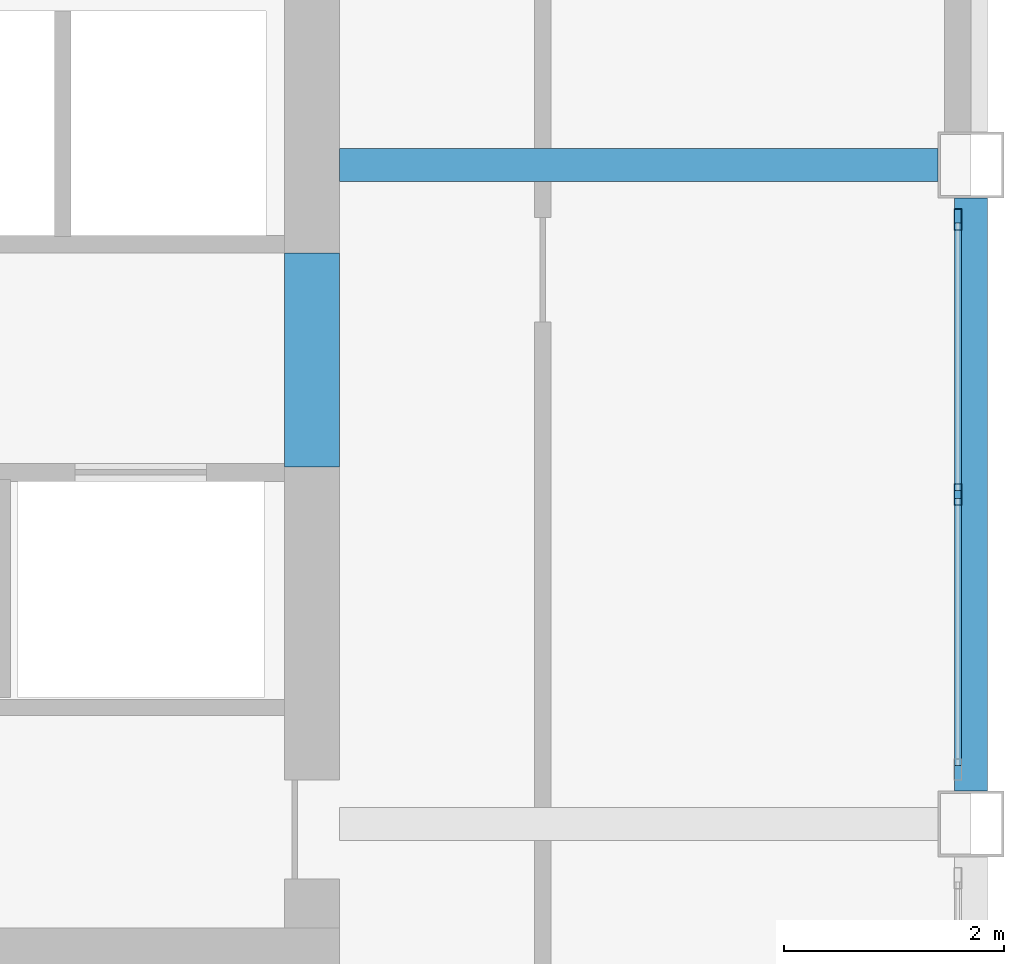
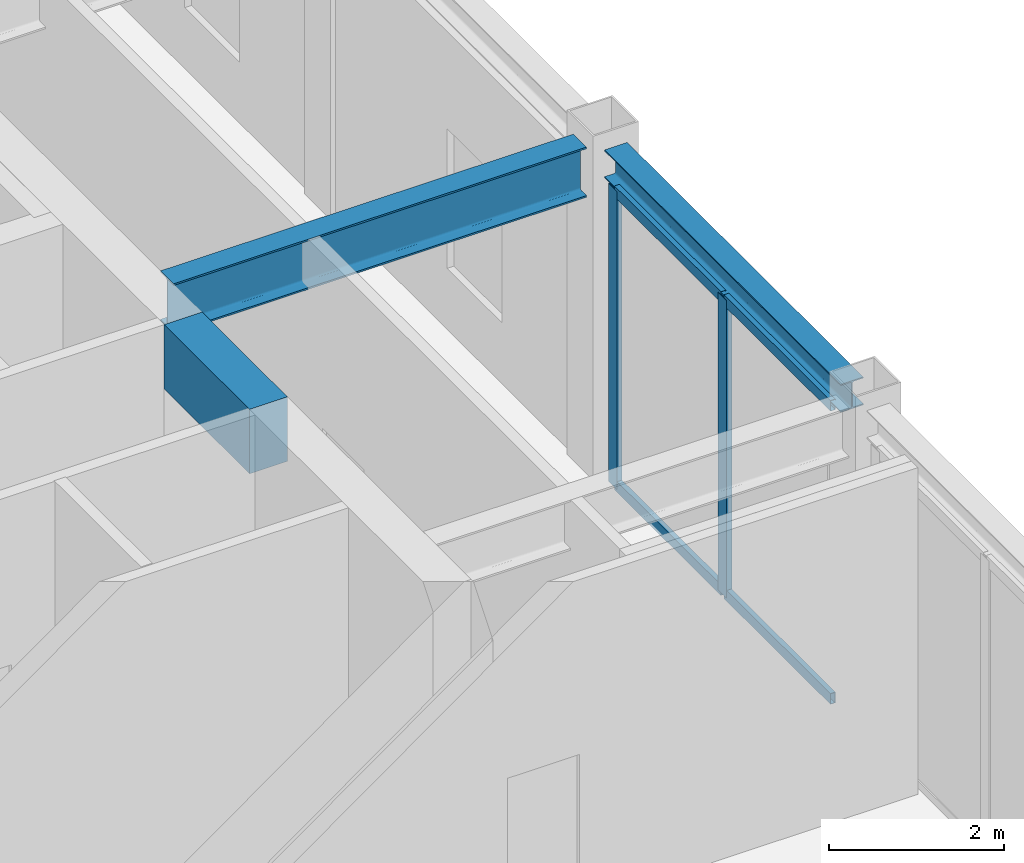
# One storey, part 5 of 11: 6 members, 3 beams, 1 element without a shape of its own.
"""IFC4 building model written with IfcOpenShell, lengths in metres."""

from ifc_helpers import new_model, si_unit, direction, frame, origin, origin_2d, place, context, subcontext, project, spatial, rectangle, hollow_rectangle, i_section, extrude, material, layer, layer_set, material_profile, profile_set, type_object, element, aggregate, save


model = new_model("IFC4")

# Units and contexts
model_context = context("Model", 3, precision=1e-05, world=origin(), true_north=direction((0.0, 1.0)))
body_context = subcontext(model_context, "Body", "Model", "MODEL_VIEW")
ifc_project = project(units=[si_unit("LENGTHUNIT", "METRE"), si_unit("AREAUNIT", "SQUARE_METRE"), si_unit("VOLUMEUNIT", "CUBIC_METRE"), si_unit("PLANEANGLEUNIT", "RADIAN"), si_unit("MASSUNIT", "GRAM", prefix="KILO")], contexts=[model_context])

# Site, building, storey
site_placement = place(None, origin())
site = spatial("IfcSite", under=ifc_project, at=site_placement, CompositionType="ELEMENT")
building_placement = place(site_placement, origin())
building = spatial("IfcBuilding", under=site, at=building_placement, Name="Haolan Belvedere Tower", CompositionType="ELEMENT")
storey_placement = place(building_placement, frame((0.0, 0.0, 313.39990234375)))
storey = spatial("IfcBuildingStorey", under=building, at=storey_placement, Name="L79", CompositionType="ELEMENT", Elevation=313.39990234375)

# Beams
ifc_material_1 = material(Name="Steel Q355B", Category="steel")
ifc_material_profile_1 = material_profile(ifc_material_1, i_section(OverallWidth=0.300048828125, OverallDepth=0.389892578125, WebThickness=0.010009765625, FlangeThickness=0.01611328125, FilletRadius=0.02197265625, at=origin_2d()), Name="Steel Q355B")
ifc_profile_set_1 = profile_set([ifc_material_profile_1], Name="Steel Q355B")
beam_type_1 = type_object("IfcBeamType", Name="BM-HM390x300x10x16", PredefinedType="SPANDREL", material=ifc_profile_set_1)
beam_1_placement = place(storey_placement, frame((52.800048828125, 27.89990234375, 4.364990234375), z_axis=(0.0, 1.0, 0.0), x_axis=(-1.0, 0.0, 0.0)))
element("IfcBeam", 1, at=beam_1_placement, inside=storey, type_object=beam_type_1, Name="L79 spandrel girder TC-T3-E1-MC-T3-ME", PredefinedType="SPANDREL", context=body_context, shape_type="SweptSolid", body=[
    extrude(i_section(OverallWidth=0.300048828125, OverallDepth=0.389892578125, WebThickness=0.010009765625, FlangeThickness=0.01611328125, FilletRadius=0.02197265625, at=origin_2d()), origin(), (0.0, 0.0, 1.0), 5.400146484375),
])
ifc_material_profile_2 = material_profile(ifc_material_1, i_section(OverallWidth=0.300048828125, OverallDepth=0.699951171875, WebThickness=0.012939453125, FlangeThickness=0.02392578125, FilletRadius=0.02587890625, at=origin_2d()), Name="Steel Q355B")
ifc_profile_set_2 = profile_set([ifc_material_profile_2], Name="Steel Q355B")
beam_type_2 = type_object("IfcBeamType", Name="BM-HN700x300x13x24", PredefinedType="BEAM", material=ifc_profile_set_2)
beam_2_placement = place(storey_placement, frame((52.5, 33.60009765625, 4.210205078125), z_axis=(-1.0, 0.0, 0.0), x_axis=(0.0, -1.0, 0.0)))
element("IfcBeam", 2, at=beam_2_placement, inside=storey, type_object=beam_type_2, Name="L79 core tie beam from MC-T3-ME", PredefinedType="BEAM", context=body_context, shape_type="SweptSolid", body=[
    extrude(i_section(OverallWidth=0.300048828125, OverallDepth=0.699951171875, WebThickness=0.012939453125, FlangeThickness=0.02392578125, FilletRadius=0.02587890625, at=origin_2d()), origin(), (0.0, 0.0, 1.0), 5.449951171875),
])
ifc_material_2 = material(Name="Concrete C60/75", Category="concrete")
ifc_material_profile_3 = material_profile(ifc_material_2, rectangle(XDim=0.5, YDim=0.89990234375, at=origin_2d()), Name="Concrete C60/75")
ifc_profile_set_3 = profile_set([ifc_material_profile_3], Name="Concrete C60/75")
beam_type_3 = type_object("IfcBeamType", Name="BM-RC500x900", PredefinedType="LINTEL", material=ifc_profile_set_3)
beam_3_placement = place(storey_placement, frame((46.800048828125, 30.85009765625, 4.110107421875), z_axis=(0.0, 1.0, 0.0), x_axis=(-1.0, 0.0, 0.0)))
element("IfcBeam", 3, at=beam_3_placement, inside=storey, type_object=beam_type_3, Name="L79 east core coupling beam CB-01", PredefinedType="LINTEL", context=body_context, shape_type="SweptSolid", body=[
    extrude(rectangle(XDim=0.5, YDim=0.89990234375, at=origin_2d()), origin(), (0.0, 0.0, 1.0), 1.949951171875),
])

# Curtain wall, members
ifc_material_3 = material(Name="Anodised champagne-silver aluminium 6063-T6 and Low-E glass", Category="aluminium")
ifc_layer = layer(ifc_material_3, 0.195068359375, Name="Anodised champagne-silver aluminium 6063-T6 and Low-E glass")
ifc_layer_set = layer_set([ifc_layer], Name="Anodised champagne-silver aluminium 6063-T6 and Low-E glass")
curtain_wall_type = type_object("IfcCurtainWallType", Name="CW-SYS-06", PredefinedType="NOTDEFINED", material=ifc_layer_set)
curtain_wall_placement = place(storey_placement, origin())
curtain_wall = element("IfcCurtainWall", 4, at=curtain_wall_placement, inside=storey, type_object=curtain_wall_type, Name="L79 CW-SYS-06 ribbon curtain wall 3.2", PredefinedType="NOTDEFINED")
ifc_material_4 = material(Name="Anodised aluminium 6063-T6", Category="aluminium")
ifc_material_profile_4 = material_profile(ifc_material_4, hollow_rectangle(XDim=0.070068359375, YDim=0.195068359375, WallThickness=0.00390625, at=origin_2d()), Name="Anodised aluminium 6063-T6")
ifc_profile_set_4 = profile_set([ifc_material_profile_4], Name="Anodised aluminium 6063-T6")
member_type_1 = type_object("IfcMemberType", Name="CW-SYS-06-MUL", PredefinedType="MULLION", material=ifc_profile_set_4)
member_1_placement = place(storey_placement, frame((52.679931640625, 30.60009765625, 0.0), z_axis=(0.0, 0.0, 1.0), x_axis=(-1.0, 0.0, 0.0)))
member_1 = element("IfcMember", 5, at=member_1_placement, type_object=member_type_1, Name="CW-06 mullion 2", PredefinedType="MULLION", context=body_context, shape_type="SweptSolid", body=[
    extrude(hollow_rectangle(XDim=0.070068359375, YDim=0.195068359375, WallThickness=0.00390625, at=origin_2d()), origin(), (0.0, 0.0, 1.0), 4.155029296875),
])
member_2_placement = place(storey_placement, frame((52.679931640625, 33.10498046875, 0.0), z_axis=(0.0, 0.0, 1.0), x_axis=(-1.0, 0.0, 0.0)))
member_2 = element("IfcMember", 6, at=member_2_placement, type_object=member_type_1, Name="CW-06 mullion 3", PredefinedType="MULLION", context=body_context, shape_type="SweptSolid", body=[
    extrude(hollow_rectangle(XDim=0.070068359375, YDim=0.195068359375, WallThickness=0.00390625, at=origin_2d()), origin(), (0.0, 0.0, 1.0), 4.155029296875),
])
ifc_material_profile_5 = material_profile(ifc_material_4, hollow_rectangle(XDim=0.06494140625, YDim=0.14990234375, WallThickness=0.00390625, at=origin_2d()), Name="Anodised aluminium 6063-T6")
ifc_profile_set_5 = profile_set([ifc_material_profile_5], Name="Anodised aluminium 6063-T6")
member_type_2 = type_object("IfcMemberType", Name="CW-SYS-06-TRN", PredefinedType="USERDEFINED", material=ifc_profile_set_5)
member_3_placement = place(storey_placement, frame((52.679931640625, 28.1298828125, 0.03271484375), z_axis=(0.0, 1.0, 0.0), x_axis=(-1.0, 0.0, 0.0)))
member_3 = element("IfcMember", 7, at=member_3_placement, type_object=member_type_2, Name="CW-06 transom 1.1", ObjectType="TRANSOM", PredefinedType="USERDEFINED", context=body_context, shape_type="SweptSolid", body=[
    extrude(hollow_rectangle(XDim=0.06494140625, YDim=0.14990234375, WallThickness=0.00390625, at=origin_2d()), origin(), (0.0, 0.0, 1.0), 2.43505859375),
])
member_4_placement = place(storey_placement, frame((52.679931640625, 28.1298828125, 4.12255859375), z_axis=(0.0, 1.0, 0.0), x_axis=(-1.0, 0.0, 0.0)))
member_4 = element("IfcMember", 8, at=member_4_placement, type_object=member_type_2, Name="CW-06 transom 1.2", ObjectType="TRANSOM", PredefinedType="USERDEFINED", context=body_context, shape_type="SweptSolid", body=[
    extrude(hollow_rectangle(XDim=0.06494140625, YDim=0.14990234375, WallThickness=0.00390625, at=origin_2d()), origin(), (0.0, 0.0, 1.0), 2.43505859375),
])
member_5_placement = place(storey_placement, frame((52.679931640625, 30.635009765625, 0.03271484375), z_axis=(0.0, 1.0, 0.0), x_axis=(-1.0, 0.0, 0.0)))
member_5 = element("IfcMember", 9, at=member_5_placement, type_object=member_type_2, Name="CW-06 transom 2.1", ObjectType="TRANSOM", PredefinedType="USERDEFINED", context=body_context, shape_type="SweptSolid", body=[
    extrude(hollow_rectangle(XDim=0.06494140625, YDim=0.14990234375, WallThickness=0.00390625, at=origin_2d()), origin(), (0.0, 0.0, 1.0), 2.43505859375),
])
member_6_placement = place(storey_placement, frame((52.679931640625, 30.635009765625, 4.12255859375), z_axis=(0.0, 1.0, 0.0), x_axis=(-1.0, 0.0, 0.0)))
member_6 = element("IfcMember", 10, at=member_6_placement, type_object=member_type_2, Name="CW-06 transom 2.2", ObjectType="TRANSOM", PredefinedType="USERDEFINED", context=body_context, shape_type="SweptSolid", body=[
    extrude(hollow_rectangle(XDim=0.06494140625, YDim=0.14990234375, WallThickness=0.00390625, at=origin_2d()), origin(), (0.0, 0.0, 1.0), 2.43505859375),
])
aggregate(curtain_wall, [member_1, member_2, member_3, member_4, member_5, member_6])

save(model, "model.ifc")
